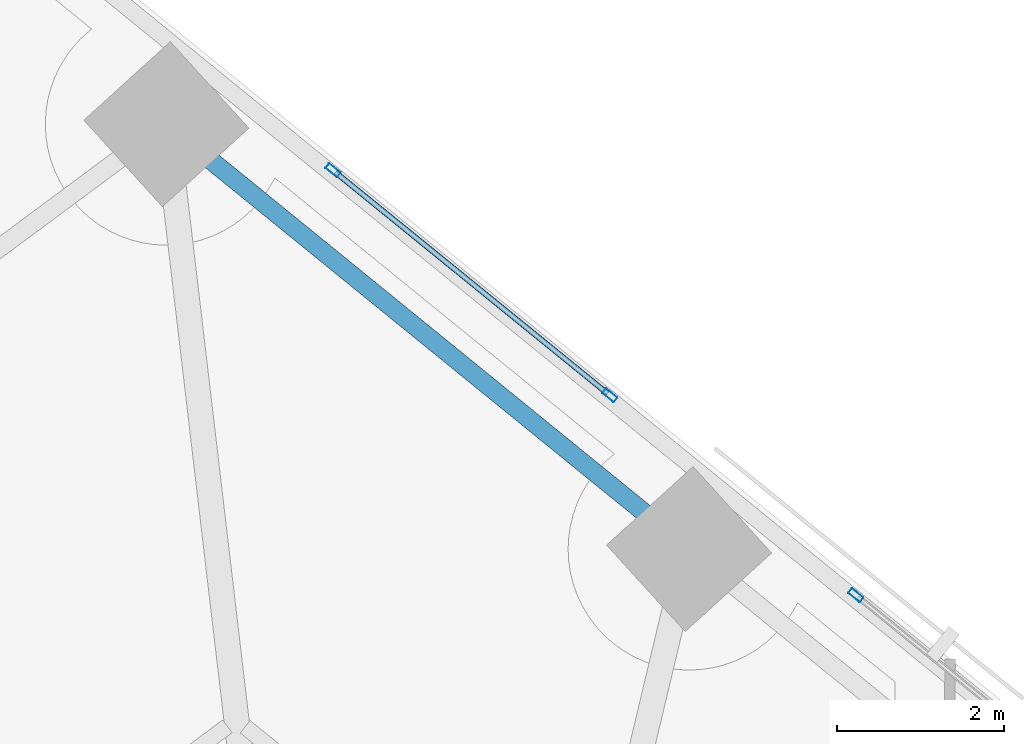
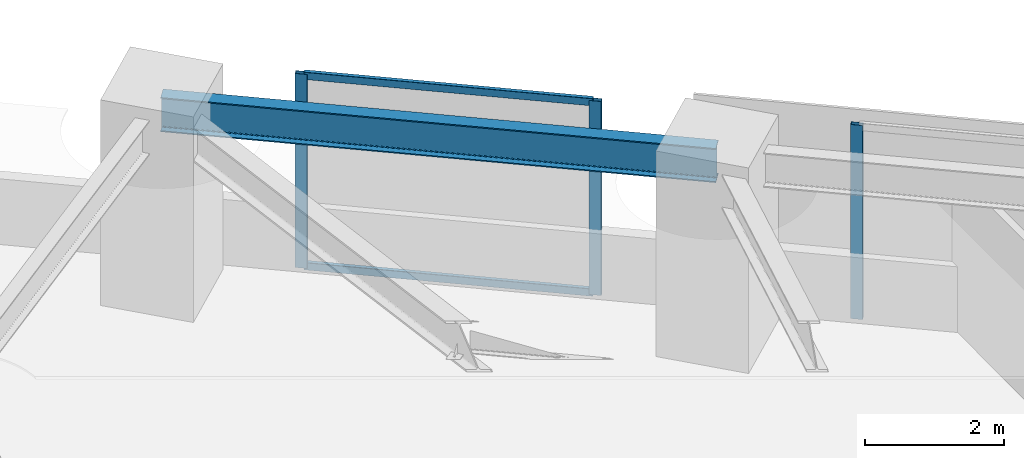
# One storey, part 9 of 17: 5 members, 1 beam, 2 elements without a shape of their own.
"""IFC4 building model written with IfcOpenShell, lengths in metres."""

from ifc_helpers import new_model, si_unit, direction, frame, origin, origin_2d, place, context, subcontext, project, spatial, hollow_rectangle, i_section, extrude, material, material_profile, profile_set, type_object, element, aggregate, save


model = new_model("IFC4")

# Units and contexts
model_context = context("Model", 3, precision=1e-05, world=origin(), true_north=direction((0.0, 1.0)))
body_context = subcontext(model_context, "Body", "Model", "MODEL_VIEW")
ifc_project = project(units=[si_unit("LENGTHUNIT", "METRE"), si_unit("AREAUNIT", "SQUARE_METRE"), si_unit("VOLUMEUNIT", "CUBIC_METRE"), si_unit("PLANEANGLEUNIT", "RADIAN"), si_unit("MASSUNIT", "GRAM", prefix="KILO")], contexts=[model_context])

# Site, building, storey
site_placement = place(None, origin())
site = spatial("IfcSite", under=ifc_project, at=site_placement, CompositionType="ELEMENT")
building_placement = place(site_placement, origin())
building = spatial("IfcBuilding", under=site, at=building_placement, Name="Narakoshi Arena Tower", CompositionType="ELEMENT")
storey_placement = place(building_placement, frame((0.0, 0.0, 37.5)))
storey = spatial("IfcBuildingStorey", under=building, at=storey_placement, Name="L09", CompositionType="ELEMENT", Elevation=37.5)

# Beam
ifc_material_1 = material(Name="Structural steel S355J2", Category="steel")
ifc_material_profile_1 = material_profile(ifc_material_1, i_section(OverallWidth=0.219970703125, OverallDepth=0.60009765625, WebThickness=0.011962890625, FlangeThickness=0.01904296875, FilletRadius=0.02392578125, at=origin_2d()), Name="IPE600")
ifc_profile_set_1 = profile_set([ifc_material_profile_1], Name="Structural steel S355J2")
beam_type = type_object("IfcBeamType", Name="BM-EDGE-600", PredefinedType="BEAM", material=ifc_profile_set_1)
beam_placement = place(storey_placement, frame((75.794189453125, 72.392333984375, 3.10009765625), z_axis=(-0.775993703931, 0.63074065309, 0.0), x_axis=(-0.63074065309, -0.775993703931, 0.0)))
element("IfcBeam", 1, at=beam_placement, inside=storey, type_object=beam_type, Name="L09 Perimeter Edge Girder 11", PredefinedType="BEAM", context=body_context, shape_type="SweptSolid", body=[
    extrude(i_section(OverallWidth=0.219970703125, OverallDepth=0.60009765625, WebThickness=0.011962890625, FlangeThickness=0.01904296875, FilletRadius=0.02392578125, at=origin_2d()), origin(), (0.0, 0.0, 1.0), 8.0712890625),
])

# Curtain wall, member
ifc_material_2 = material(Name="Anodised bronze aluminium 6063-T6", Category="aluminium")
curtain_wall_type = type_object("IfcCurtainWallType", Name="CW-HYP-LOW", PredefinedType="NOTDEFINED", material=ifc_material_2)
curtain_wall_1_placement = place(storey_placement, origin())
curtain_wall_1 = element("IfcCurtainWall", 2, at=curtain_wall_1_placement, inside=storey, type_object=curtain_wall_type, Name="L09 Folded Hypotenuse Curtain Wall 2-3", PredefinedType="NOTDEFINED")
ifc_material_profile_2 = material_profile(ifc_material_2, hollow_rectangle(XDim=0.074951171875, YDim=0.179931640625, WallThickness=0.00390625, OuterFilletRadius=0.0048828125, at=origin_2d()), Name="MUL180x75x4")
ifc_profile_set_2 = profile_set([ifc_material_profile_2], Name="Anodised bronze aluminium 6063-T6")
member_type_1 = type_object("IfcMemberType", Name="MEM-MUL-180", PredefinedType="MULLION", material=ifc_profile_set_2)
member_1_placement = place(storey_placement, frame((77.791015625, 71.8388671875, 0.0), z_axis=(0.0, 0.0, 1.0), x_axis=(-0.630722984816, -0.776008064665, 0.0)))
member_1 = element("IfcMember", 3, at=member_1_placement, type_object=member_type_1, Name="CW-01 mullion 2", PredefinedType="MULLION", context=body_context, shape_type="SweptSolid", body=[
    extrude(hollow_rectangle(XDim=0.074951171875, YDim=0.179931640625, WallThickness=0.00390625, OuterFilletRadius=0.0048828125, at=origin_2d()), origin(), (0.0, 0.0, 1.0), 3.39990234375),
])
aggregate(curtain_wall_1, [member_1])

# Curtain wall, members
curtain_wall_2_placement = place(storey_placement, origin())
curtain_wall_2 = element("IfcCurtainWall", 4, at=curtain_wall_2_placement, inside=storey, type_object=curtain_wall_type, Name="L09 Folded Hypotenuse Curtain Wall 2-4", PredefinedType="NOTDEFINED")
member_2_placement = place(storey_placement, frame((74.843994140625, 74.234130859375, 0.0), z_axis=(0.0, 0.0, 1.0), x_axis=(-0.630733728817, -0.775999332044, 0.0)))
member_2 = element("IfcMember", 5, at=member_2_placement, type_object=member_type_1, Name="CW-01 mullion 1", PredefinedType="MULLION", context=body_context, shape_type="SweptSolid", body=[
    extrude(hollow_rectangle(XDim=0.074951171875, YDim=0.179931640625, WallThickness=0.00390625, OuterFilletRadius=0.0048828125, at=origin_2d()), origin(), (0.0, 0.0, 1.0), 3.39990234375),
])
member_3_placement = place(storey_placement, frame((71.52783203125, 76.9296875, 0.0), z_axis=(0.0, 0.0, 1.0), x_axis=(-0.630733728817, -0.775999332044, 0.0)))
member_3 = element("IfcMember", 6, at=member_3_placement, type_object=member_type_1, Name="CW-01 mullion 2", PredefinedType="MULLION", context=body_context, shape_type="SweptSolid", body=[
    extrude(hollow_rectangle(XDim=0.074951171875, YDim=0.179931640625, WallThickness=0.00390625, OuterFilletRadius=0.0048828125, at=origin_2d()), origin(), (0.0, 0.0, 1.0), 3.39990234375),
])
ifc_material_profile_3 = material_profile(ifc_material_2, hollow_rectangle(XDim=0.06494140625, YDim=0.1298828125, WallThickness=0.00390625, OuterFilletRadius=0.0048828125, at=origin_2d()), Name="TRN130x65x4")
ifc_profile_set_3 = profile_set([ifc_material_profile_3], Name="Anodised bronze aluminium 6063-T6")
member_type_2 = type_object("IfcMemberType", Name="MEM-TRN-130", PredefinedType="USERDEFINED", material=ifc_profile_set_3)
member_4_placement = place(storey_placement, frame((74.81494140625, 74.2578125, 0.032470703125), z_axis=(-0.775994815564, 0.630739285457, 0.0), x_axis=(-0.630739285457, -0.775994815564, 0.0)))
member_4 = element("IfcMember", 7, at=member_4_placement, type_object=member_type_2, Name="CW-01 transom 1.1", ObjectType="TRANSOM", PredefinedType="USERDEFINED", context=body_context, shape_type="SweptSolid", body=[
    extrude(hollow_rectangle(XDim=0.06494140625, YDim=0.1298828125, WallThickness=0.00390625, OuterFilletRadius=0.0048828125, at=origin_2d()), origin(), (0.0, 0.0, 1.0), 4.198486328125),
])
member_5_placement = place(storey_placement, frame((74.81494140625, 74.2578125, 3.367431640625), z_axis=(-0.775994815564, 0.630739285457, 0.0), x_axis=(-0.630739285457, -0.775994815564, 0.0)))
member_5 = element("IfcMember", 8, at=member_5_placement, type_object=member_type_2, Name="CW-01 transom 1.2", ObjectType="TRANSOM", PredefinedType="USERDEFINED", context=body_context, shape_type="SweptSolid", body=[
    extrude(hollow_rectangle(XDim=0.06494140625, YDim=0.1298828125, WallThickness=0.00390625, OuterFilletRadius=0.0048828125, at=origin_2d()), origin(), (0.0, 0.0, 1.0), 4.198486328125),
])
aggregate(curtain_wall_2, [member_2, member_3, member_4, member_5])

save(model, "model.ifc")
